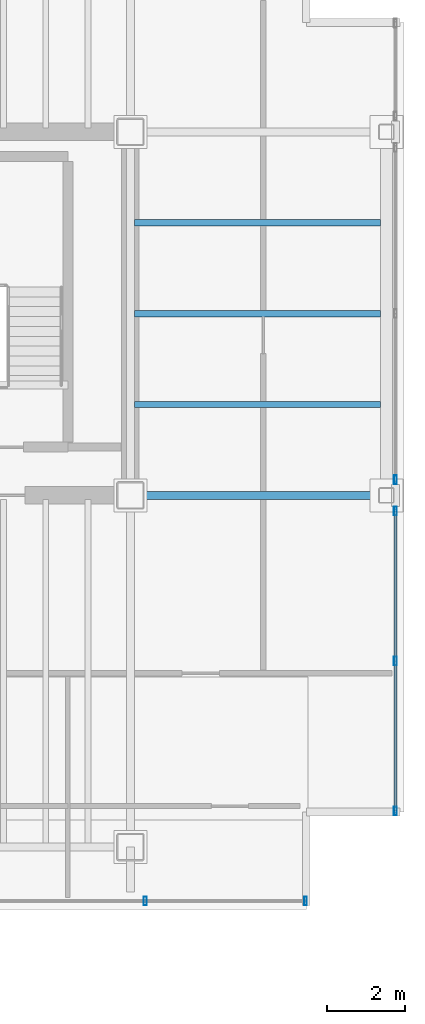
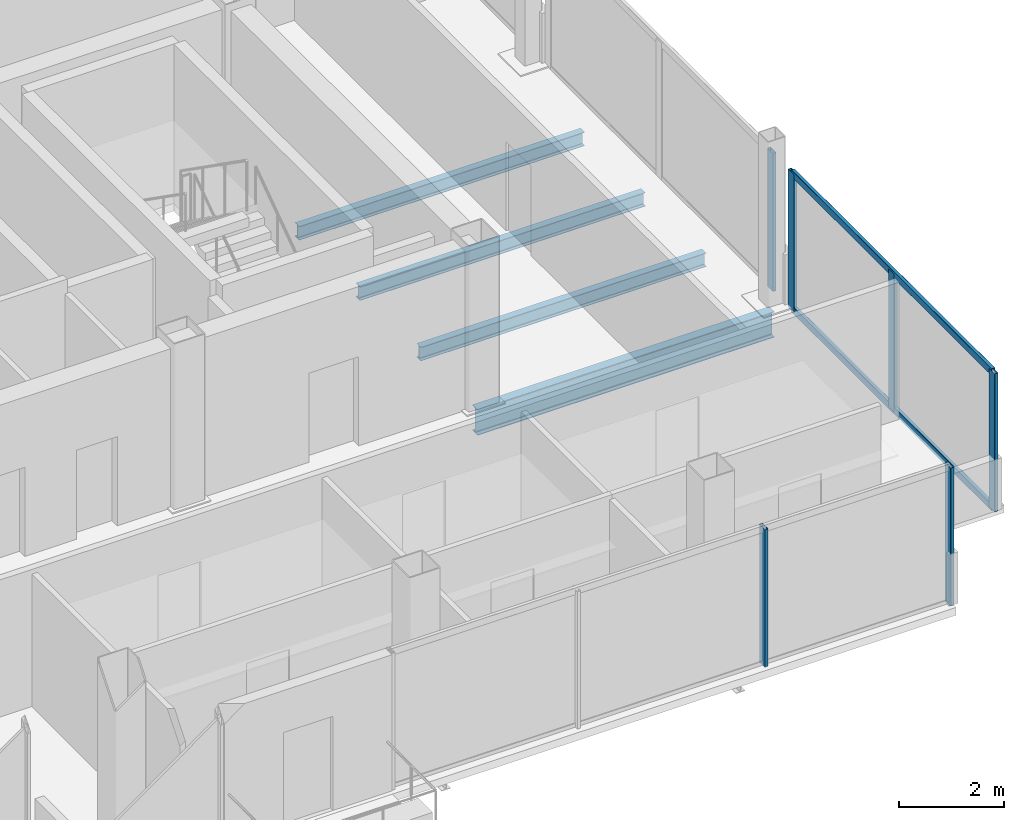
# One storey, part 11 of 17: 8 members, 4 beams, 3 elements without a shape of their own.
"""IFC4 building model written with IfcOpenShell, lengths in metres."""

from ifc_helpers import new_model, si_unit, direction, frame, origin, origin_2d, place, context, subcontext, project, spatial, hollow_rectangle, i_section, extrude, material, material_profile, profile_set, type_object, element, aggregate, save


model = new_model("IFC4")

# Units and contexts
model_context = context("Model", 3, precision=1e-05, world=origin(), true_north=direction((0.0, 1.0)))
body_context = subcontext(model_context, "Body", "Model", "MODEL_VIEW")
ifc_project = project(units=[si_unit("LENGTHUNIT", "METRE"), si_unit("AREAUNIT", "SQUARE_METRE"), si_unit("VOLUMEUNIT", "CUBIC_METRE"), si_unit("PLANEANGLEUNIT", "RADIAN"), si_unit("MASSUNIT", "GRAM", prefix="KILO")], contexts=[model_context])

# Site, building, storey
site_placement = place(None, origin())
site = spatial("IfcSite", under=ifc_project, at=site_placement, CompositionType="ELEMENT")
building_placement = place(site_placement, origin())
building = spatial("IfcBuilding", under=site, at=building_placement, Name="Noeulbin Bourse Tower", CompositionType="ELEMENT")
storey_placement = place(building_placement, frame((0.0, 0.0, 289.10009765625)))
storey = spatial("IfcBuildingStorey", under=building, at=storey_placement, Name="L72", CompositionType="ELEMENT", Elevation=289.10009765625)

# Beams
ifc_material_1 = material(Name="Steel S355", Category="steel")
ifc_material_profile_1 = material_profile(ifc_material_1, i_section(OverallWidth=0.199951171875, OverallDepth=0.60009765625, WebThickness=0.010986328125, FlangeThickness=0.01708984375, FilletRadius=0.02197265625, at=origin_2d()), Name="H-600x200x11x17", Category="LoadBearing")
ifc_profile_set_1 = profile_set([ifc_material_profile_1], Name="Steel S355")
beam_type_1 = type_object("IfcBeamType", Name="BM-GRD-600", PredefinedType="USERDEFINED", material=ifc_profile_set_1)
beam_placement = place(storey_placement, frame((44.0, 29.0, -0.47998046875), z_axis=(1.0, 0.0, 0.0), x_axis=(0.0, 1.0, 0.0)))
element("IfcBeam", 1, at=beam_placement, inside=storey, type_object=beam_type_1, Name="Tower Primary Girder EW L72-2.4", ObjectType="GIRDER", PredefinedType="USERDEFINED", context=body_context, shape_type="SweptSolid", body=[
    extrude(i_section(OverallWidth=0.199951171875, OverallDepth=0.60009765625, WebThickness=0.010986328125, FlangeThickness=0.01708984375, FilletRadius=0.02197265625, at=origin_2d()), origin(), (0.0, 0.0, 1.0), 6.550048828125),
])
ifc_material_profile_2 = material_profile(ifc_material_1, i_section(OverallWidth=0.159912109375, OverallDepth=0.320068359375, WebThickness=0.006591796875, FlangeThickness=0.010009765625, FilletRadius=0.012939453125, at=origin_2d()), Name="H-320x160x6.5x10", Category="LoadBearing")
ifc_profile_set_2 = profile_set([ifc_material_profile_2], Name="Steel S355")
beam_type_2 = type_object("IfcBeamType", Name="BM-JST-320", PredefinedType="JOIST", material=ifc_profile_set_2)
for number, where, z_axis, x_axis, name in (
    (2, (44.10009765625, 31.324951171875, -0.340087890625), (1.0, 0.0, 0.0), (0.0, 1.0, 0.0), "Wing Composite Joist L72-E31"),
    (3, (44.10009765625, 33.64990234375, -0.340087890625), (1.0, 0.0, 0.0), (0.0, 1.0, 0.0), "Wing Composite Joist L72-E32"),
    (4, (44.10009765625, 35.97509765625, -0.340087890625), (1.0, 0.0, 0.0), (0.0, 1.0, 0.0), "Wing Composite Joist L72-E33"),
):
    element("IfcBeam", number, at=place(storey_placement, frame(where, z_axis=z_axis, x_axis=x_axis)), inside=storey, type_object=beam_type_2, Name=name, PredefinedType="JOIST", context=body_context, shape_type="SweptSolid", body=[
        extrude(i_section(OverallWidth=0.159912109375, OverallDepth=0.320068359375, WebThickness=0.006591796875, FlangeThickness=0.010009765625, FilletRadius=0.012939453125, at=origin_2d()), origin(), (0.0, 0.0, 1.0), 6.2998046875),
    ])

# Curtain wall, members
ifc_material_2 = material(Name="High-Selectivity Low-Iron Glazing", Category="glass")
curtain_wall_type = type_object("IfcCurtainWallType", Name="CW-SYS-4", PredefinedType="NOTDEFINED", material=ifc_material_2)
curtain_wall_1_placement = place(storey_placement, origin())
curtain_wall_1 = element("IfcCurtainWall", 5, at=curtain_wall_1_placement, inside=storey, type_object=curtain_wall_type, Name="Unitised Curtain Wall CW-L72-S3", PredefinedType="NOTDEFINED")
ifc_material_3 = material(Name="Anodised Aluminium 6063-T6", Category="aluminium")
ifc_material_profile_3 = material_profile(ifc_material_3, hollow_rectangle(XDim=0.074951171875, YDim=0.219970703125, WallThickness=0.0048828125, InnerFilletRadius=0.00244140625, OuterFilletRadius=0.0048828125, at=origin_2d()), Name="ALU-MULL-75x220x5", Category="LoadBearing")
ifc_profile_set_3 = profile_set([ifc_material_profile_3], Name="Anodised Aluminium 6063-T6")
member_type_1 = type_object("IfcMemberType", Name="CW-SYS-4-MUL", PredefinedType="MULLION", material=ifc_profile_set_3)
member_1_placement = place(storey_placement, frame((44.3798828125, 18.6201171875, -0.02001953125), z_axis=(0.0, 0.0, 1.0), x_axis=(1.0, 0.0, 0.0)))
member_1 = element("IfcMember", 6, at=member_1_placement, type_object=member_type_1, Name="Curtain Wall Mullion CW-L72-S3-M02", PredefinedType="MULLION", context=body_context, shape_type="SweptSolid", body=[
    extrude(hollow_rectangle(XDim=0.074951171875, YDim=0.219970703125, WallThickness=0.0048828125, InnerFilletRadius=0.00244140625, OuterFilletRadius=0.0048828125, at=origin_2d()), origin(), (0.0, 0.0, 1.0), 3.219970703125),
])
member_2_placement = place(storey_placement, frame((48.47998046875, 18.6201171875, -0.02001953125), z_axis=(0.0, 0.0, 1.0), x_axis=(1.0, 0.0, 0.0)))
member_2 = element("IfcMember", 7, at=member_2_placement, type_object=member_type_1, Name="Curtain Wall Mullion CW-L72-S3-M03", PredefinedType="MULLION", context=body_context, shape_type="SweptSolid", body=[
    extrude(hollow_rectangle(XDim=0.074951171875, YDim=0.219970703125, WallThickness=0.0048828125, InnerFilletRadius=0.00244140625, OuterFilletRadius=0.0048828125, at=origin_2d()), origin(), (0.0, 0.0, 1.0), 3.219970703125),
])
aggregate(curtain_wall_1, [member_1, member_2])

curtain_wall_2_placement = place(storey_placement, origin())
curtain_wall_2 = element("IfcCurtainWall", 8, at=curtain_wall_2_placement, inside=storey, type_object=curtain_wall_type, Name="Unitised Curtain Wall CW-L72-E-S1", PredefinedType="NOTDEFINED")
member_3_placement = place(storey_placement, frame((50.780029296875, 20.919921875, -0.02001953125), z_axis=(0.0, 0.0, 1.0), x_axis=(1.0, 0.0, 0.0)))
member_3 = element("IfcMember", 9, at=member_3_placement, type_object=member_type_1, Name="Curtain Wall Mullion CW-L72-E-S1-M00", PredefinedType="MULLION", context=body_context, shape_type="SweptSolid", body=[
    extrude(hollow_rectangle(XDim=0.074951171875, YDim=0.219970703125, WallThickness=0.0048828125, InnerFilletRadius=0.00244140625, OuterFilletRadius=0.0048828125, at=origin_2d()), origin(), (0.0, 0.0, 1.0), 3.219970703125),
])
member_4_placement = place(storey_placement, frame((50.780029296875, 24.760009765625, -0.02001953125), z_axis=(0.0, 0.0, 1.0), x_axis=(1.0, 0.0, 0.0)))
member_4 = element("IfcMember", 10, at=member_4_placement, type_object=member_type_1, Name="Curtain Wall Mullion CW-L72-E-S1-M01", PredefinedType="MULLION", context=body_context, shape_type="SweptSolid", body=[
    extrude(hollow_rectangle(XDim=0.074951171875, YDim=0.219970703125, WallThickness=0.0048828125, InnerFilletRadius=0.00244140625, OuterFilletRadius=0.0048828125, at=origin_2d()), origin(), (0.0, 0.0, 1.0), 3.219970703125),
])
member_5_placement = place(storey_placement, frame((50.780029296875, 28.60009765625, -0.02001953125), z_axis=(0.0, 0.0, 1.0), x_axis=(1.0, 0.0, 0.0)))
member_5 = element("IfcMember", 11, at=member_5_placement, type_object=member_type_1, Name="Curtain Wall Mullion CW-L72-E-S1-M02", PredefinedType="MULLION", context=body_context, shape_type="SweptSolid", body=[
    extrude(hollow_rectangle(XDim=0.074951171875, YDim=0.219970703125, WallThickness=0.0048828125, InnerFilletRadius=0.00244140625, OuterFilletRadius=0.0048828125, at=origin_2d()), origin(), (0.0, 0.0, 1.0), 3.219970703125),
])

# Curtain wall, member
curtain_wall_3_placement = place(storey_placement, origin())
curtain_wall_3 = element("IfcCurtainWall", 12, at=curtain_wall_3_placement, inside=storey, type_object=curtain_wall_type, Name="Unitised Curtain Wall CW-L72-E-S2", PredefinedType="NOTDEFINED")
member_6_placement = place(storey_placement, frame((50.780029296875, 29.39990234375, -0.02001953125), z_axis=(0.0, 0.0, 1.0), x_axis=(1.0, 0.0, 0.0)))
member_6 = element("IfcMember", 13, at=member_6_placement, type_object=member_type_1, Name="Curtain Wall Mullion CW-L72-E-S2-M00", PredefinedType="MULLION", context=body_context, shape_type="SweptSolid", body=[
    extrude(hollow_rectangle(XDim=0.074951171875, YDim=0.219970703125, WallThickness=0.0048828125, InnerFilletRadius=0.00244140625, OuterFilletRadius=0.0048828125, at=origin_2d()), origin(), (0.0, 0.0, 1.0), 3.219970703125),
])
aggregate(curtain_wall_3, [member_6])

# Member
ifc_material_profile_4 = material_profile(ifc_material_3, hollow_rectangle(XDim=0.074951171875, YDim=0.159912109375, WallThickness=0.0048828125, InnerFilletRadius=0.00244140625, OuterFilletRadius=0.0048828125, at=origin_2d()), Name="ALU-TRAN-75x160x5", Category="LoadBearing")
ifc_profile_set_4 = profile_set([ifc_material_profile_4], Name="Anodised Aluminium 6063-T6")
member_type_2 = type_object("IfcMemberType", Name="CW-SYS-4-TRN", PredefinedType="USERDEFINED", material=ifc_profile_set_4)
member_7_placement = place(storey_placement, frame((50.780029296875, 20.929931640625, 0.010009765625), z_axis=(0.0, 1.0, 0.0), x_axis=(-1.0, 0.0, 0.0)))
member_7 = element("IfcMember", 14, at=member_7_placement, type_object=member_type_2, Name="Curtain Wall Transom CW-L72-E-S1-T00", ObjectType="TRANSOM", PredefinedType="USERDEFINED", context=body_context, shape_type="SweptSolid", body=[
    extrude(hollow_rectangle(XDim=0.074951171875, YDim=0.159912109375, WallThickness=0.0048828125, InnerFilletRadius=0.00244140625, OuterFilletRadius=0.0048828125, at=origin_2d()), origin(), (0.0, 0.0, 1.0), 7.66015625),
])

member_8_placement = place(storey_placement, frame((50.780029296875, 20.929931640625, 3.169921875), z_axis=(0.0, 1.0, 0.0), x_axis=(-1.0, 0.0, 0.0)))
member_8 = element("IfcMember", 15, at=member_8_placement, type_object=member_type_2, Name="Curtain Wall Transom CW-L72-E-S1-T01", ObjectType="TRANSOM", PredefinedType="USERDEFINED", context=body_context, shape_type="SweptSolid", body=[
    extrude(hollow_rectangle(XDim=0.074951171875, YDim=0.159912109375, WallThickness=0.0048828125, InnerFilletRadius=0.00244140625, OuterFilletRadius=0.0048828125, at=origin_2d()), origin(), (0.0, 0.0, 1.0), 7.66015625),
])

aggregate(curtain_wall_2, [member_3, member_4, member_5, member_7, member_8])

save(model, "model.ifc")
